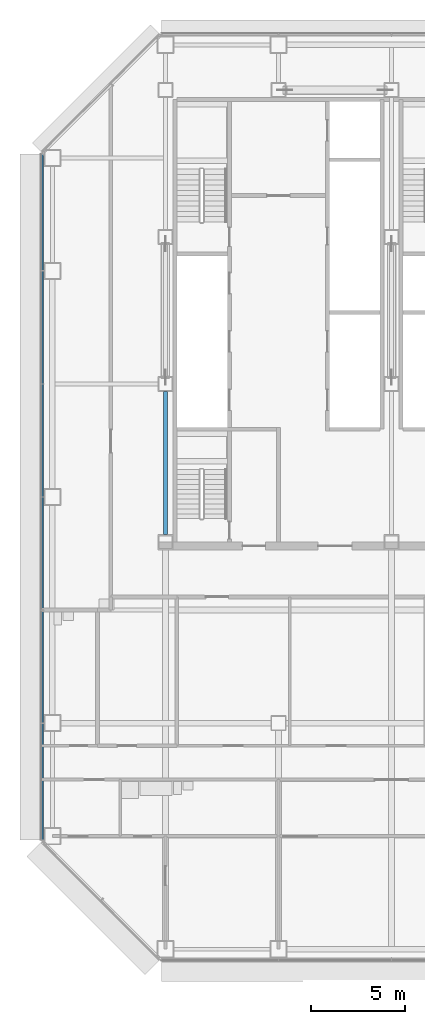
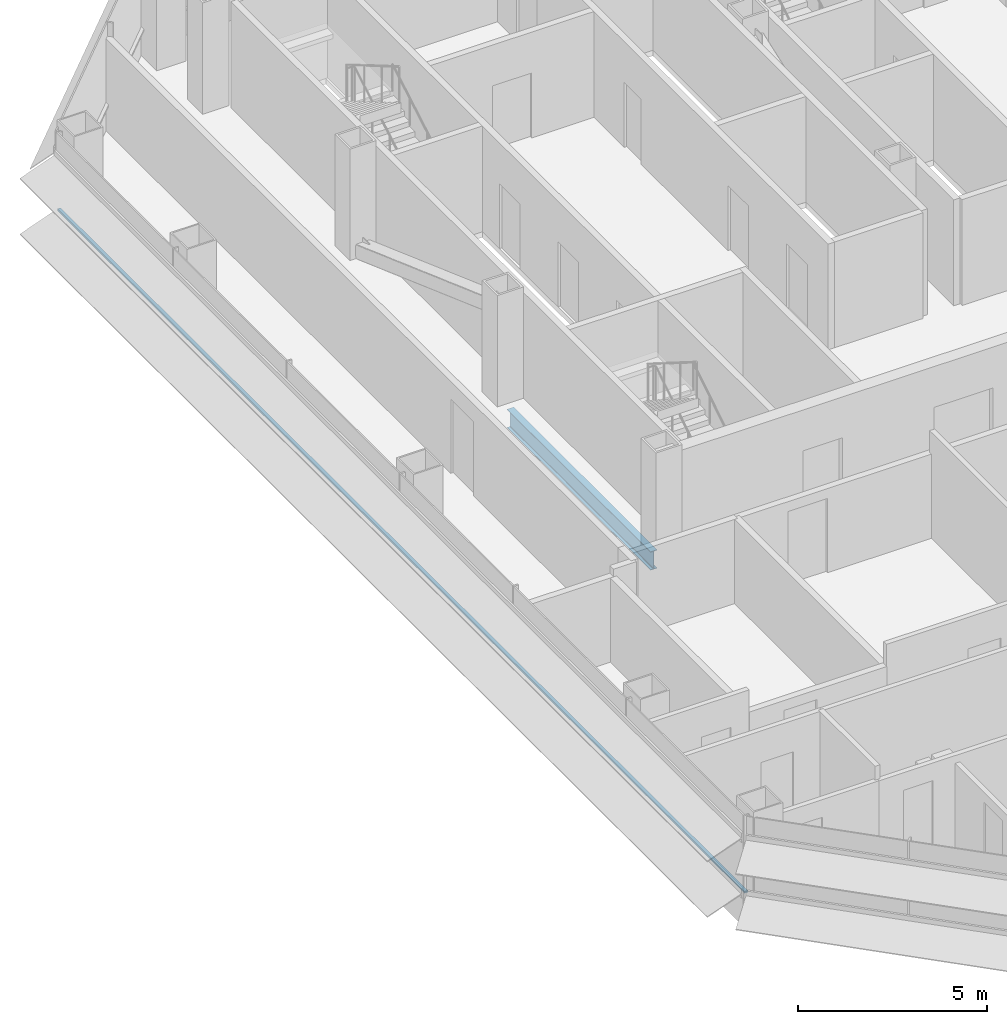
# One storey, part 5 of 27: 1 beam, 1 member, 1 element without a shape of its own.
"""IFC4 building model written with IfcOpenShell, lengths in metres."""

from ifc_helpers import new_model, si_unit, direction, frame, origin, origin_2d, place, context, subcontext, project, spatial, rectangle, i_section, extrude, material, material_profile, profile_set, type_object, element, aggregate, save


model = new_model("IFC4")

# Units and contexts
model_context = context("Model", 3, precision=1e-05, world=origin(), true_north=direction((0.0, 1.0)))
body_context = subcontext(model_context, "Body", "Model", "MODEL_VIEW")
ifc_project = project(units=[si_unit("LENGTHUNIT", "METRE"), si_unit("AREAUNIT", "SQUARE_METRE"), si_unit("VOLUMEUNIT", "CUBIC_METRE"), si_unit("PLANEANGLEUNIT", "RADIAN"), si_unit("MASSUNIT", "GRAM", prefix="KILO")], contexts=[model_context])

# Site, building, storey
site_placement = place(None, origin())
site = spatial("IfcSite", under=ifc_project, at=site_placement, CompositionType="ELEMENT")
building_placement = place(site_placement, origin())
building = spatial("IfcBuilding", under=site, at=building_placement, Name="Sorahane Residences", CompositionType="ELEMENT")
storey_placement = place(building_placement, frame((0.0, 0.0, 75.0)))
storey = spatial("IfcBuildingStorey", under=building, at=storey_placement, Name="L15", CompositionType="ELEMENT", Elevation=75.0)

# Curtain wall, member
ifc_material_1 = material(Name="Dark low-e glass and black anodised aluminium", Category="aluminium")
curtain_wall_type = type_object("IfcCurtainWallType", Name="Curtain wall CW-1 Typical unitised wall", PredefinedType="NOTDEFINED", material=ifc_material_1)
curtain_wall_placement = place(storey_placement, origin())
curtain_wall = element("IfcCurtainWall", 1, at=curtain_wall_placement, inside=storey, type_object=curtain_wall_type, Name="CW-1 curtain wall L15 W1", PredefinedType="NOTDEFINED")
ifc_material_2 = material(Name="Black anodised aluminium", Category="aluminium")
ifc_material_profile_1 = material_profile(ifc_material_2, rectangle(XDim=0.10009765625, YDim=0.06005859375, at=origin_2d()), Name="Curtain wall transom CW-1 black anodised aluminium 60x100")
ifc_profile_set_1 = profile_set([ifc_material_profile_1], Name="Black anodised aluminium")
member_type = type_object("IfcMemberType", Name="Curtain wall transom CW-1 black anodised aluminium 60x100", PredefinedType="USERDEFINED", material=ifc_profile_set_1)
member_placement = place(storey_placement, frame((-0.530029296875, 42.198486328125, 0.89990234375), z_axis=(0.0, -1.0, 0.0), x_axis=(1.0, 0.0, 0.0)))
member = element("IfcMember", 2, at=member_placement, type_object=member_type, Name="CW-1 transom L15 W1", ObjectType="TRANSOM", PredefinedType="USERDEFINED", context=body_context, shape_type="SweptSolid", body=[
    extrude(rectangle(XDim=0.10009765625, YDim=0.06005859375, at=origin_2d()), origin(), (0.0, 0.0, 1.0), 36.39697265625),
])
aggregate(curtain_wall, [member])

# Beam
ifc_material_3 = material(Name="Steel Q355B", Category="steel")
ifc_material_profile_2 = material_profile(ifc_material_3, i_section(OverallWidth=0.199951171875, OverallDepth=0.60009765625, WebThickness=0.010986328125, FlangeThickness=0.01708984375, FilletRadius=0.02392578125, at=origin_2d()), Name="HN 600x200x11x17")
ifc_profile_set_2 = profile_set([ifc_material_profile_2], Name="Steel Q355B")
beam_type = type_object("IfcBeamType", Name="Steel floor beam HN 600x200x11x17 Q355B", PredefinedType="BEAM", material=ifc_profile_set_2)
beam_placement = place(storey_placement, frame((6.0, 22.0, -0.47998046875), z_axis=(0.0, 1.0, 0.0), x_axis=(-1.0, 0.0, 0.0)))
element("IfcBeam", 3, at=beam_placement, inside=storey, type_object=beam_type, Name="Beam L15 023", PredefinedType="BEAM", context=body_context, shape_type="SweptSolid", body=[
    extrude(i_section(OverallWidth=0.199951171875, OverallDepth=0.60009765625, WebThickness=0.010986328125, FlangeThickness=0.01708984375, FilletRadius=0.02392578125, at=origin_2d()), origin(), (0.0, 0.0, 1.0), 7.60009765625),
])

save(model, "model.ifc")
